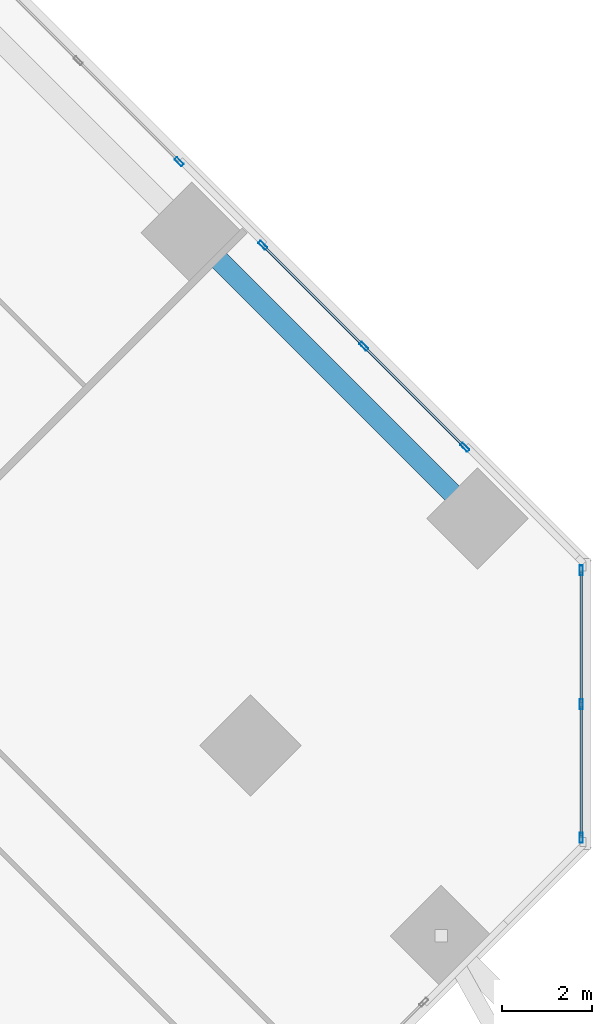
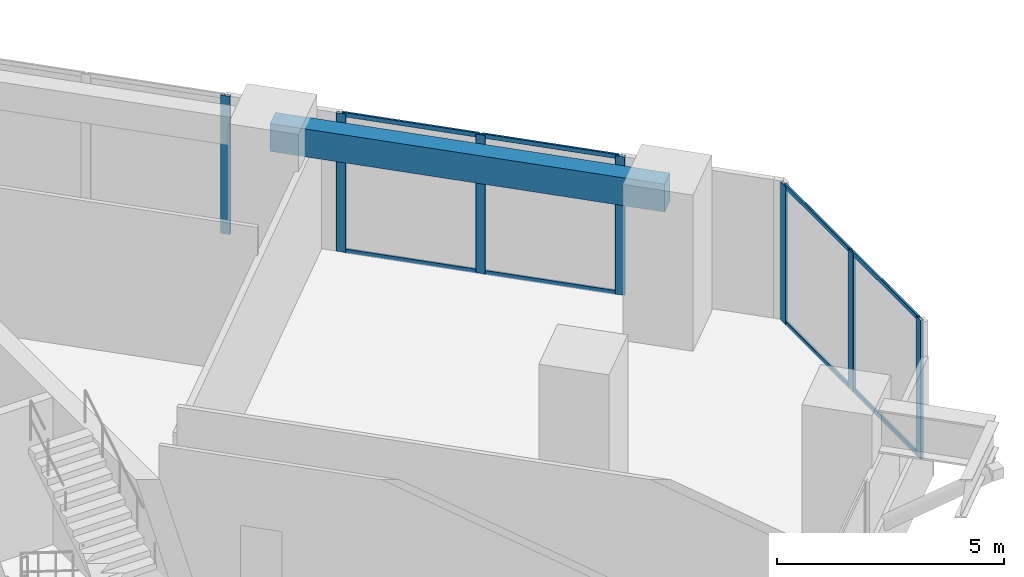
# One storey, part 7 of 17: 15 members, 1 beam, 3 elements without a shape of their own.
"""IFC4 building model written with IfcOpenShell, lengths in metres."""

from ifc_helpers import new_model, si_unit, direction, frame, origin, origin_2d, place, context, subcontext, project, spatial, rectangle, hollow_rectangle, extrude, source, transform, mapped, material, material_profile, profile_set, type_object, element, aggregate, save


model = new_model("IFC4")

# Units and contexts
model_context = context("Model", 3, precision=1e-05, world=origin(), true_north=direction((0.0, 1.0)))
body_context = subcontext(model_context, "Body", "Model", "MODEL_VIEW")
ifc_project = project(units=[si_unit("LENGTHUNIT", "METRE"), si_unit("AREAUNIT", "SQUARE_METRE"), si_unit("VOLUMEUNIT", "CUBIC_METRE"), si_unit("PLANEANGLEUNIT", "RADIAN"), si_unit("MASSUNIT", "GRAM", prefix="KILO")], contexts=[model_context])

# Site, building, storey
site_placement = place(None, origin())
site = spatial("IfcSite", under=ifc_project, at=site_placement, CompositionType="ELEMENT")
building_placement = place(site_placement, origin())
building = spatial("IfcBuilding", under=site, at=building_placement, Name="Torre Montelarca", CompositionType="ELEMENT")
storey_placement = place(building_placement, frame((0.0, 0.0, 250.0)))
storey = spatial("IfcBuildingStorey", under=building, at=storey_placement, Name="L56", CompositionType="ELEMENT", Elevation=250.0)

# Beam
ifc_material_1 = material(Name="Concrete C55/67", Category="concrete")
ifc_material_profile_1 = material_profile(ifc_material_1, rectangle(XDim=0.449951171875, YDim=0.75, at=origin_2d()), Name="RCB450X750", Category="concrete")
ifc_profile_set_1 = profile_set([ifc_material_profile_1], Name="Concrete C55/67")
beam_type = type_object("IfcBeamType", Name="BM-SP-RC750-EXT", PredefinedType="SPANDREL", material=ifc_profile_set_1)
shared_shape_1 = source(origin(), body_context, "Body", "SweptSolid", [
    extrude(rectangle(XDim=0.449951171875, YDim=0.75, at=origin_2d()), origin(), (0.0, 0.0, 1.0), 9.0),
])
beam_placement = place(storey_placement, frame((36.101806640625, 38.823486328125, 3.5849609375), z_axis=(0.707120344572, -0.70709321754, 0.0), x_axis=(0.70709321754, 0.707120344572, 0.0)))
element("IfcBeam", 1, at=beam_placement, inside=storey, type_object=beam_type, Name="L56 Grid Girder X 27.0-36.0 at Y=47.1", PredefinedType="SPANDREL", context=body_context, shape_type="MappedRepresentation", body=[
    mapped(shared_shape_1, transform((0.0, 0.0, 0.0), scale=1.0)),
])

# Curtain wall, members
ifc_material_2 = material(Name="Insulated low-E laminated glass", Category="glass")
curtain_wall_type = type_object("IfcCurtainWallType", Name="CW-SYS-Z3", PredefinedType="USERDEFINED", material=ifc_material_2)
curtain_wall_1_placement = place(storey_placement, origin())
curtain_wall_1 = element("IfcCurtainWall", 2, at=curtain_wall_1_placement, inside=storey, type_object=curtain_wall_type, Name="L56 Curtain Wall Run CW-T3-L56-E07-B1", ObjectType="UNITISED GLAZING", PredefinedType="USERDEFINED")
ifc_material_3 = material(Name="Anodised aluminium AA 6063-T6", Category="aluminium")
ifc_material_profile_2 = material_profile(ifc_material_3, hollow_rectangle(XDim=0.054931640625, YDim=0.1201171875, WallThickness=0.00341796875, InnerFilletRadius=0.00341796875, OuterFilletRadius=0.007080078125, at=origin_2d()), Name="ALU55X120X3.5", Category="aluminium")
ifc_profile_set_2 = profile_set([ifc_material_profile_2], Name="Anodised aluminium AA 6063-T6")
member_type_1 = type_object("IfcMemberType", Name="CWT-ALU120", PredefinedType="USERDEFINED", material=ifc_profile_set_2)
shared_shape_2 = source(origin(), body_context, "Body", "SweptSolid", [
    extrude(hollow_rectangle(XDim=0.054931640625, YDim=0.1201171875, WallThickness=0.00341796875, InnerFilletRadius=0.00341796875, OuterFilletRadius=0.007080078125, at=origin_2d()), origin(), (0.0, 0.0, 1.0), 2.903564453125),
])
member_1_placement = place(storey_placement, frame((44.775146484375, 28.360595703125, 0.027587890625), z_axis=(0.0, 1.0, 0.0), x_axis=(-1.0, 0.0, 0.0)))
member_1 = element("IfcMember", 3, at=member_1_placement, type_object=member_type_1, Name="CW transom 2.1", ObjectType="TRANSOM", PredefinedType="USERDEFINED", context=body_context, shape_type="MappedRepresentation", body=[
    mapped(shared_shape_2, transform((0.0, 0.0, 0.0), scale=1.0)),
])
member_2_placement = place(storey_placement, frame((44.775146484375, 28.360595703125, 3.6923828125), z_axis=(0.0, 1.0, 0.0), x_axis=(-1.0, 0.0, 0.0)))
member_2 = element("IfcMember", 4, at=member_2_placement, type_object=member_type_1, Name="CW transom 2.2", ObjectType="TRANSOM", PredefinedType="USERDEFINED", context=body_context, shape_type="MappedRepresentation", body=[
    mapped(shared_shape_2, transform((0.0, 0.0, 0.0), scale=1.0)),
])
ifc_material_profile_3 = material_profile(ifc_material_3, hollow_rectangle(XDim=0.074951171875, YDim=0.219970703125, WallThickness=0.0048828125, InnerFilletRadius=0.0048828125, OuterFilletRadius=0.010009765625, at=origin_2d()), Name="ALU75X220X5", Category="aluminium")
ifc_profile_set_3 = profile_set([ifc_material_profile_3], Name="Anodised aluminium AA 6063-T6")
member_type_2 = type_object("IfcMemberType", Name="CWM-ALU220", PredefinedType="MULLION", material=ifc_profile_set_3)
shared_shape_3 = source(origin(), body_context, "Body", "SweptSolid", [
    extrude(hollow_rectangle(XDim=0.074951171875, YDim=0.219970703125, WallThickness=0.0048828125, InnerFilletRadius=0.0048828125, OuterFilletRadius=0.010009765625, at=origin_2d()), origin(), (0.0, 0.0, 1.0), 3.719970703125),
])
member_3_placement = place(storey_placement, frame((44.775146484375, 25.344482421875, 0.0), z_axis=(0.0, 0.0, 1.0), x_axis=(-1.0, 0.0, 0.0)))
member_3 = element("IfcMember", 5, at=member_3_placement, type_object=member_type_2, Name="CW mullion 1", PredefinedType="MULLION", context=body_context, shape_type="MappedRepresentation", body=[
    mapped(shared_shape_3, transform((0.0, 0.0, 0.0), scale=1.0)),
])
member_4_placement = place(storey_placement, frame((44.775146484375, 28.322998046875, 0.0), z_axis=(0.0, 0.0, 1.0), x_axis=(-1.0, 0.0, 0.0)))
member_4 = element("IfcMember", 6, at=member_4_placement, type_object=member_type_2, Name="CW mullion 2", PredefinedType="MULLION", context=body_context, shape_type="MappedRepresentation", body=[
    mapped(shared_shape_3, transform((0.0, 0.0, 0.0), scale=1.0)),
])
member_5_placement = place(storey_placement, frame((44.775146484375, 31.3017578125, 0.0), z_axis=(0.0, 0.0, 1.0), x_axis=(-1.0, 0.0, 0.0)))
member_5 = element("IfcMember", 7, at=member_5_placement, type_object=member_type_2, Name="CW mullion 3", PredefinedType="MULLION", context=body_context, shape_type="MappedRepresentation", body=[
    mapped(shared_shape_3, transform((0.0, 0.0, 0.0), scale=1.0)),
])

curtain_wall_2_placement = place(storey_placement, origin())
curtain_wall_2 = element("IfcCurtainWall", 8, at=curtain_wall_2_placement, inside=storey, type_object=curtain_wall_type, Name="L56 Curtain Wall Run CW-T3-L56-E08-B1", ObjectType="UNITISED GLAZING", PredefinedType="USERDEFINED")
member_6_placement = place(storey_placement, frame((42.1845703125, 34.041748046875, 0.0), z_axis=(0.0, 0.0, 1.0), x_axis=(-0.707099017144, -0.707114545144, 0.0)))
member_6 = element("IfcMember", 9, at=member_6_placement, type_object=member_type_2, Name="CW mullion 1", PredefinedType="MULLION", context=body_context, shape_type="MappedRepresentation", body=[
    mapped(shared_shape_3, transform((0.0, 0.0, 0.0), scale=1.0)),
])
member_7_placement = place(storey_placement, frame((39.934326171875, 36.292236328125, 0.0), z_axis=(0.0, 0.0, 1.0), x_axis=(-0.707099017144, -0.707114545144, 0.0)))
member_7 = element("IfcMember", 10, at=member_7_placement, type_object=member_type_2, Name="CW mullion 2", PredefinedType="MULLION", context=body_context, shape_type="MappedRepresentation", body=[
    mapped(shared_shape_3, transform((0.0, 0.0, 0.0), scale=1.0)),
])
member_8_placement = place(storey_placement, frame((37.683837890625, 38.54248046875, 0.0), z_axis=(0.0, 0.0, 1.0), x_axis=(-0.707099017144, -0.707114545144, 0.0)))
member_8 = element("IfcMember", 11, at=member_8_placement, type_object=member_type_2, Name="CW mullion 3", PredefinedType="MULLION", context=body_context, shape_type="MappedRepresentation", body=[
    mapped(shared_shape_3, transform((0.0, 0.0, 0.0), scale=1.0)),
])

# Curtain wall, member
curtain_wall_3_placement = place(storey_placement, origin())
curtain_wall_3 = element("IfcCurtainWall", 12, at=curtain_wall_3_placement, inside=storey, type_object=curtain_wall_type, Name="L56 Curtain Wall Run CW-T3-L56-E08-B2", ObjectType="UNITISED GLAZING", PredefinedType="USERDEFINED")
member_9_placement = place(storey_placement, frame((35.82080078125, 40.40576171875, 0.0), z_axis=(0.0, 0.0, 1.0), x_axis=(-0.707114545144, -0.707099017144, 0.0)))
member_9 = element("IfcMember", 13, at=member_9_placement, type_object=member_type_2, Name="CW mullion 1", PredefinedType="MULLION", context=body_context, shape_type="MappedRepresentation", body=[
    mapped(shared_shape_3, transform((0.0, 0.0, 0.0), scale=1.0)),
])
aggregate(curtain_wall_3, [member_9])

# Member
shared_shape_4 = source(origin(), body_context, "Body", "SweptSolid", [
    extrude(hollow_rectangle(XDim=0.054931640625, YDim=0.1201171875, WallThickness=0.00341796875, InnerFilletRadius=0.00341796875, OuterFilletRadius=0.007080078125, at=origin_2d()), origin(), (0.0, 0.0, 1.0), 3.107421875),
])
member_10_placement = place(storey_placement, frame((42.158203125, 34.068359375, 0.027587890625), z_axis=(-0.707106781187, 0.707106781187, 0.0), x_axis=(-0.707106781187, -0.707106781187, 0.0)))
member_10 = element("IfcMember", 14, at=member_10_placement, type_object=member_type_1, Name="CW transom 1.1", ObjectType="TRANSOM", PredefinedType="USERDEFINED", context=body_context, shape_type="MappedRepresentation", body=[
    mapped(shared_shape_4, transform((0.0, 0.0, 0.0), scale=1.0)),
])

member_11_placement = place(storey_placement, frame((42.158203125, 34.068359375, 3.6923828125), z_axis=(-0.707106781187, 0.707106781187, 0.0), x_axis=(-0.707106781187, -0.707106781187, 0.0)))
member_11 = element("IfcMember", 15, at=member_11_placement, type_object=member_type_1, Name="CW transom 1.2", ObjectType="TRANSOM", PredefinedType="USERDEFINED", context=body_context, shape_type="MappedRepresentation", body=[
    mapped(shared_shape_4, transform((0.0, 0.0, 0.0), scale=1.0)),
])

member_12_placement = place(storey_placement, frame((39.90771484375, 36.318603515625, 0.027587890625), z_axis=(-0.707106781187, 0.707106781187, 0.0), x_axis=(-0.707106781187, -0.707106781187, 0.0)))
member_12 = element("IfcMember", 16, at=member_12_placement, type_object=member_type_1, Name="CW transom 2.1", ObjectType="TRANSOM", PredefinedType="USERDEFINED", context=body_context, shape_type="MappedRepresentation", body=[
    mapped(shared_shape_4, transform((0.0, 0.0, 0.0), scale=1.0)),
])

member_13_placement = place(storey_placement, frame((39.90771484375, 36.318603515625, 3.6923828125), z_axis=(-0.707106781187, 0.707106781187, 0.0), x_axis=(-0.707106781187, -0.707106781187, 0.0)))
member_13 = element("IfcMember", 17, at=member_13_placement, type_object=member_type_1, Name="CW transom 2.2", ObjectType="TRANSOM", PredefinedType="USERDEFINED", context=body_context, shape_type="MappedRepresentation", body=[
    mapped(shared_shape_4, transform((0.0, 0.0, 0.0), scale=1.0)),
])

aggregate(curtain_wall_2, [member_6, member_7, member_8, member_10, member_11, member_12, member_13])

shared_shape_5 = source(origin(), body_context, "Body", "SweptSolid", [
    extrude(hollow_rectangle(XDim=0.054931640625, YDim=0.1201171875, WallThickness=0.00341796875, InnerFilletRadius=0.00341796875, OuterFilletRadius=0.007080078125, at=origin_2d()), origin(), (0.0, 0.0, 1.0), 2.90380859375),
])
member_14_placement = place(storey_placement, frame((44.775146484375, 25.3818359375, 0.027587890625), z_axis=(0.0, 1.0, 0.0), x_axis=(-1.0, 0.0, 0.0)))
member_14 = element("IfcMember", 18, at=member_14_placement, type_object=member_type_1, Name="CW transom 1.1", ObjectType="TRANSOM", PredefinedType="USERDEFINED", context=body_context, shape_type="MappedRepresentation", body=[
    mapped(shared_shape_5, transform((0.0, 0.0, 0.0), scale=1.0)),
])

member_15_placement = place(storey_placement, frame((44.775146484375, 25.3818359375, 3.6923828125), z_axis=(0.0, 1.0, 0.0), x_axis=(-1.0, 0.0, 0.0)))
member_15 = element("IfcMember", 19, at=member_15_placement, type_object=member_type_1, Name="CW transom 1.2", ObjectType="TRANSOM", PredefinedType="USERDEFINED", context=body_context, shape_type="MappedRepresentation", body=[
    mapped(shared_shape_5, transform((0.0, 0.0, 0.0), scale=1.0)),
])

aggregate(curtain_wall_1, [member_3, member_4, member_5, member_14, member_15, member_1, member_2])

save(model, "model.ifc")
